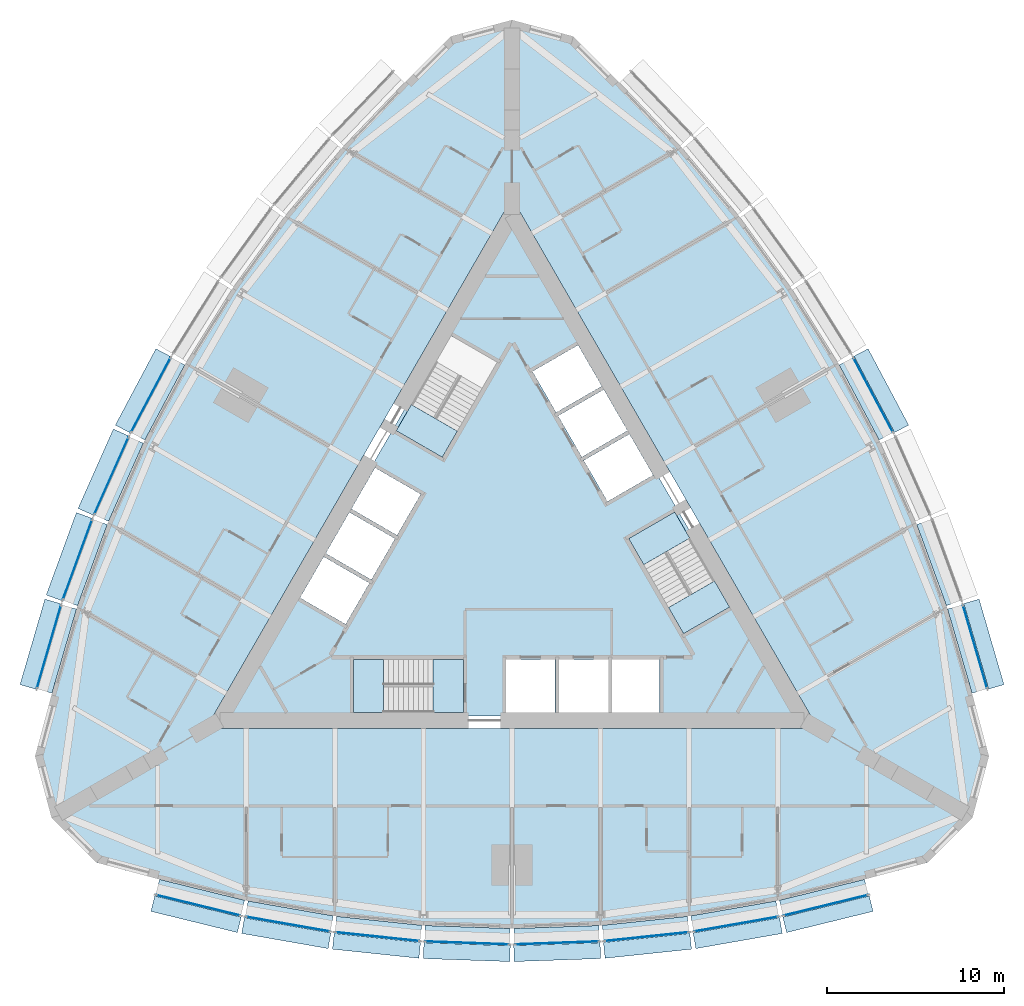
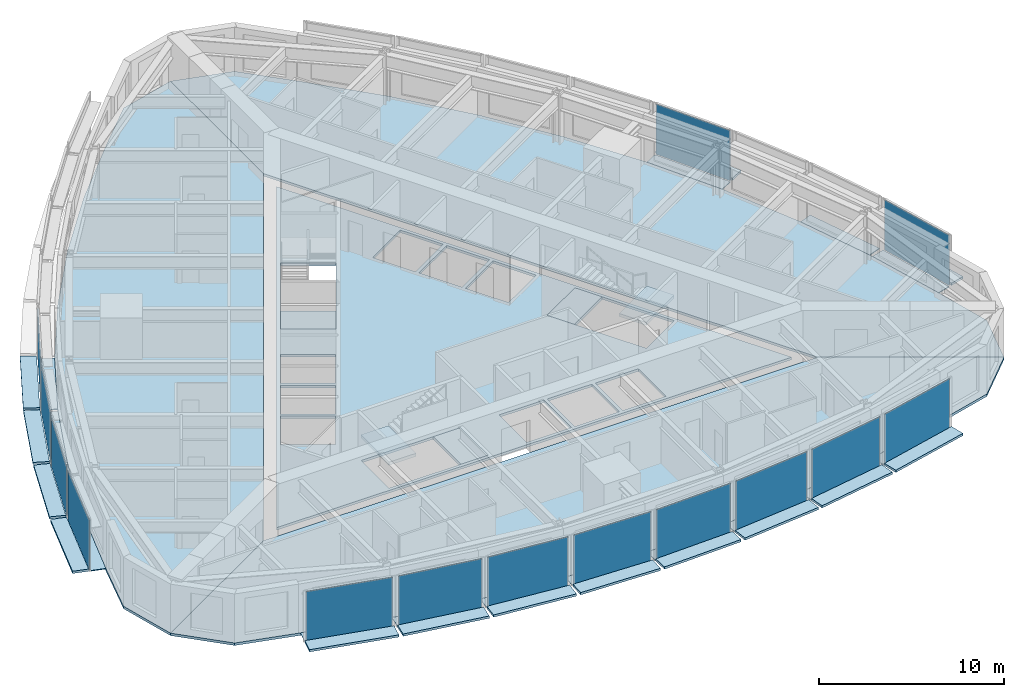
# One storey, part 6 of 14: 43 plates, 9 slabs, 17 elements without a shape of their own.
"""IFC4 building model written with IfcOpenShell, lengths in metres."""

from ifc_helpers import new_model, si_unit, direction, frame, origin, origin_2d, place, context, subcontext, project, spatial, polyline, rectangle, outline, extrude, material, layer, layer_set, type_object, element, aggregate, save


model = new_model("IFC4")

# Units and contexts
model_context = context("Model", 3, precision=1e-05, world=origin(), true_north=direction((0.0, 1.0)))
body_context = subcontext(model_context, "Body", "Model", "MODEL_VIEW")
ifc_project = project(units=[si_unit("LENGTHUNIT", "METRE"), si_unit("AREAUNIT", "SQUARE_METRE"), si_unit("VOLUMEUNIT", "CUBIC_METRE"), si_unit("PLANEANGLEUNIT", "RADIAN"), si_unit("MASSUNIT", "GRAM", prefix="KILO")], contexts=[model_context])

# Site, building, storey
site_placement = place(None, origin())
site = spatial("IfcSite", under=ifc_project, at=site_placement, CompositionType="ELEMENT")
building_placement = place(site_placement, origin())
building = spatial("IfcBuilding", under=site, at=building_placement, Name="Trikona Tower", CompositionType="ELEMENT")
storey_placement = place(building_placement, frame((0.0, 0.0, 158.89990234375)))
storey = spatial("IfcBuildingStorey", under=building, at=storey_placement, Name="L42", CompositionType="ELEMENT", Elevation=158.89990234375)

# Plates
ifc_material_1 = material(Name="Aluminium bar grating", Category="aluminium")
ifc_layer_1 = layer(ifc_material_1, 0.050048828125)
ifc_layer_set_1 = layer_set([ifc_layer_1], Name="Cavity catwalk grating")
plate_type_1 = type_object("IfcPlateType", Name="Cavity catwalk grating", PredefinedType="USERDEFINED", material=ifc_layer_set_1)
plate_1_placement = place(storey_placement, frame((-17.598876953125, -19.49072265625, -0.0498046875), z_axis=(0.0, 0.0, 1.0), x_axis=(0.971274411564, -0.237962218516, 0.0)))
element("IfcPlate", 1, at=plate_1_placement, inside=storey, type_object=plate_type_1, Name="Cavity catwalk L42-00", ObjectType="CATWALK GRATING", PredefinedType="USERDEFINED", context=body_context, shape_type="SweptSolid", body=[
    extrude(rectangle(XDim=4.947998046875, YDim=0.830078125, at=origin_2d()), origin(), (0.0, 0.0, 1.0), 0.050048828125),
])
plate_2_placement = place(storey_placement, frame((-12.571533203125, -20.54638671875, -0.0498046875), z_axis=(0.0, 0.0, 1.0), x_axis=(0.985030604067, -0.172379549401, 0.0)))
element("IfcPlate", 2, at=plate_2_placement, inside=storey, type_object=plate_type_1, Name="Cavity catwalk L42-01", ObjectType="CATWALK GRATING", PredefinedType="USERDEFINED", context=body_context, shape_type="SweptSolid", body=[
    extrude(rectangle(XDim=4.8759765625, YDim=0.830078125, at=origin_2d()), origin(), (0.0, 0.0, 1.0), 0.050048828125),
])
plate_3_placement = place(storey_placement, frame((-7.543212890625, -21.25048828125, -0.0498046875), z_axis=(0.0, 0.0, 1.0), x_axis=(0.994532653854, -0.104426052392, 0.0)))
element("IfcPlate", 3, at=plate_3_placement, inside=storey, type_object=plate_type_1, Name="Cavity catwalk L42-02", ObjectType="CATWALK GRATING", PredefinedType="USERDEFINED", context=body_context, shape_type="SweptSolid", body=[
    extrude(rectangle(XDim=4.827392578125, YDim=0.830078125, at=origin_2d()), origin(), (0.0, 0.0, 1.0), 0.050048828125),
])
for number, where, z_axis, x_axis, name in (
    (4, (-2.514404296875, -21.602294921875, -0.0498046875), (0.0, 0.0, 1.0), (0.999388082937, -0.034977988567, 0.0), "Cavity catwalk L42-03"),
    (5, (2.514404296875, -21.602294921875, -0.0498046875), (0.0, 0.0, 1.0), (0.999388082937, 0.034977988567, 0.0), "Cavity catwalk L42-04"),
):
    element("IfcPlate", number, at=place(storey_placement, frame(where, z_axis=z_axis, x_axis=x_axis)), inside=storey, type_object=plate_type_1, Name=name, ObjectType="CATWALK GRATING", PredefinedType="USERDEFINED", context=body_context, shape_type="SweptSolid", body=[
        extrude(rectangle(XDim=4.802978515625, YDim=0.830078125, at=origin_2d()), origin(), (0.0, 0.0, 1.0), 0.050048828125),
    ])
plate_4_placement = place(storey_placement, frame((7.543212890625, -21.25048828125, -0.0498046875), z_axis=(0.0, 0.0, 1.0), x_axis=(0.994532653854, 0.104426052392, 0.0)))
element("IfcPlate", 6, at=plate_4_placement, inside=storey, type_object=plate_type_1, Name="Cavity catwalk L42-05", ObjectType="CATWALK GRATING", PredefinedType="USERDEFINED", context=body_context, shape_type="SweptSolid", body=[
    extrude(rectangle(XDim=4.827392578125, YDim=0.830078125, at=origin_2d()), origin(), (0.0, 0.0, 1.0), 0.050048828125),
])
plate_5_placement = place(storey_placement, frame((12.571533203125, -20.54638671875, -0.0498046875), z_axis=(0.0, 0.0, 1.0), x_axis=(0.985030604067, 0.172379549401, 0.0)))
element("IfcPlate", 7, at=plate_5_placement, inside=storey, type_object=plate_type_1, Name="Cavity catwalk L42-06", ObjectType="CATWALK GRATING", PredefinedType="USERDEFINED", context=body_context, shape_type="SweptSolid", body=[
    extrude(rectangle(XDim=4.8759765625, YDim=0.830078125, at=origin_2d()), origin(), (0.0, 0.0, 1.0), 0.050048828125),
])
plate_6_placement = place(storey_placement, frame((17.598876953125, -19.49072265625, -0.0498046875), z_axis=(0.0, 0.0, 1.0), x_axis=(0.971274411564, 0.237962218516, 0.0)))
element("IfcPlate", 8, at=plate_6_placement, inside=storey, type_object=plate_type_1, Name="Cavity catwalk L42-07", ObjectType="CATWALK GRATING", PredefinedType="USERDEFINED", context=body_context, shape_type="SweptSolid", body=[
    extrude(rectangle(XDim=4.947998046875, YDim=0.830078125, at=origin_2d()), origin(), (0.0, 0.0, 1.0), 0.050048828125),
])
plate_7_placement = place(storey_placement, frame((25.678955078125, -5.49560546875, -0.0498046875), z_axis=(0.0, 0.0, 1.0), x_axis=(-0.279554203664, 0.960129911634, 0.0)))
element("IfcPlate", 9, at=plate_7_placement, inside=storey, type_object=plate_type_1, Name="Cavity catwalk L42-12", ObjectType="CATWALK GRATING", PredefinedType="USERDEFINED", context=body_context, shape_type="SweptSolid", body=[
    extrude(rectangle(XDim=4.94775390625, YDim=0.830078125, at=origin_2d()), origin(), (0.0, 0.0, 1.0), 0.050048828125),
])
plate_8_placement = place(storey_placement, frame((24.07958984375, -0.614013671875, -0.0498046875), z_axis=(0.0, 0.0, 1.0), x_axis=(-0.343220397324, 0.939254895575, 0.0)))
element("IfcPlate", 10, at=plate_8_placement, inside=storey, type_object=plate_type_1, Name="Cavity catwalk L42-13", ObjectType="CATWALK GRATING", PredefinedType="USERDEFINED", context=body_context, shape_type="SweptSolid", body=[
    extrude(rectangle(XDim=4.8759765625, YDim=0.830078125, at=origin_2d()), origin(), (0.0, 0.0, 1.0), 0.050048828125),
])
for number, where, z_axis, x_axis, name in (
    (11, (19.965576171875, 8.62353515625, -0.0498046875), (0.0, 0.0, 1.0), (-0.469397591494, 0.882986920118, 0.0), "Cavity catwalk L42-15"),
    (12, (-19.965576171875, 8.62353515625, -0.0498046875), (0.0, 0.0, 1.0), (-0.469397591494, -0.882986920118, 0.0), "Cavity catwalk L42-28"),
):
    element("IfcPlate", number, at=place(storey_placement, frame(where, z_axis=z_axis, x_axis=x_axis)), inside=storey, type_object=plate_type_1, Name=name, ObjectType="CATWALK GRATING", PredefinedType="USERDEFINED", context=body_context, shape_type="SweptSolid", body=[
        extrude(rectangle(XDim=4.802978515625, YDim=0.830078125, at=origin_2d()), origin(), (0.0, 0.0, 1.0), 0.050048828125),
    ])
plate_9_placement = place(storey_placement, frame((-22.175048828125, 4.092529296875, -0.0498046875), z_axis=(0.0, 0.0, 1.0), x_axis=(-0.406843467615, -0.913497888809, 0.0)))
element("IfcPlate", 13, at=plate_9_placement, inside=storey, type_object=plate_type_1, Name="Cavity catwalk L42-29", ObjectType="CATWALK GRATING", PredefinedType="USERDEFINED", context=body_context, shape_type="SweptSolid", body=[
    extrude(rectangle(XDim=4.827392578125, YDim=0.830078125, at=origin_2d()), origin(), (0.0, 0.0, 1.0), 0.050048828125),
])
plate_10_placement = place(storey_placement, frame((-24.07958984375, -0.614013671875, -0.0498046875), z_axis=(0.0, 0.0, 1.0), x_axis=(-0.343220397324, -0.939254895575, 0.0)))
element("IfcPlate", 14, at=plate_10_placement, inside=storey, type_object=plate_type_1, Name="Cavity catwalk L42-30", ObjectType="CATWALK GRATING", PredefinedType="USERDEFINED", context=body_context, shape_type="SweptSolid", body=[
    extrude(rectangle(XDim=4.8759765625, YDim=0.830078125, at=origin_2d()), origin(), (0.0, 0.0, 1.0), 0.050048828125),
])
plate_11_placement = place(storey_placement, frame((-25.678955078125, -5.49560546875, -0.0498046875), z_axis=(0.0, 0.0, 1.0), x_axis=(-0.279554203664, -0.960129911634, 0.0)))
element("IfcPlate", 15, at=plate_11_placement, inside=storey, type_object=plate_type_1, Name="Cavity catwalk L42-31", ObjectType="CATWALK GRATING", PredefinedType="USERDEFINED", context=body_context, shape_type="SweptSolid", body=[
    extrude(rectangle(XDim=4.94775390625, YDim=0.830078125, at=origin_2d()), origin(), (0.0, 0.0, 1.0), 0.050048828125),
])

# Slabs
ifc_material_2 = material(Name="Concrete f'c 5000 psi lightweight on composite steel deck", Category="concrete")
ifc_layer_2 = layer(ifc_material_2, 0.1650390625)
ifc_layer_set_2 = layer_set([ifc_layer_2], Name="Composite floor slab 165")
slab_type_1 = type_object("IfcSlabType", Name="Composite floor slab 165", PredefinedType="FLOOR", material=ifc_layer_set_2)
slab_1_placement = place(storey_placement, frame((0.0, 0.0, -0.164794921875)))
element("IfcSlab", 16, at=slab_1_placement, inside=storey, type_object=slab_type_1, Name="Floor slab L42 core", PredefinedType="FLOOR", context=body_context, shape_type="SweptSolid", body=[
    extrude(outline(polyline([(-16.06689453125, -9.2763671875), (16.06689453125, -9.2763671875), (0.0, 18.552490234375), (-16.06689453125, -9.2763671875)]), holes=[polyline([(12.285400390625, -3.126220703125), (9.185302734375, 2.2431640625), (6.587158203125, 0.7431640625), (9.687255859375, -4.626220703125), (12.285400390625, -3.126220703125)]), polyline([(8.340087890625, -9.06640625), (8.340087890625, -6.086181640625), (5.659912109375, -6.086181640625), (5.659912109375, -9.06640625), (8.340087890625, -9.06640625)]), polyline([(5.390869140625, 2.835205078125), (7.9716796875, 4.3251953125), (6.631591796875, 6.646240234375), (4.05078125, 5.15625), (5.390869140625, 2.835205078125)]), polyline([(2.600830078125, 7.667724609375), (3.94091796875, 5.3466796875), (6.521484375, 6.8369140625), (5.181640625, 9.15771484375), (2.600830078125, 7.667724609375)]), polyline([(5.43994140625, -6.086181640625), (2.659912109375, -6.086181640625), (2.659912109375, -9.06640625), (5.43994140625, -9.06640625), (5.43994140625, -6.086181640625)]), polyline([(3.731689453125, 11.669189453125), (1.15087890625, 10.17919921875), (2.490966796875, 7.858154296875), (5.071533203125, 9.34814453125), (3.731689453125, 11.669189453125)]), polyline([(-0.340087890625, -6.086181640625), (-0.340087890625, -9.06640625), (2.43994140625, -9.06640625), (2.43994140625, -6.086181640625), (-0.340087890625, -6.086181640625)]), polyline([(-3.435302734375, 12.202392578125), (-6.535400390625, 6.8330078125), (-3.937255859375, 5.3330078125), (-0.837158203125, 10.702392578125), (-3.435302734375, 12.202392578125)]), polyline([(-8.949951171875, -9.076416015625), (-2.75, -9.076416015625), (-2.75, -6.076416015625), (-8.949951171875, -6.076416015625), (-8.949951171875, -9.076416015625)]), polyline([(-5.15087890625, 3.2509765625), (-7.731689453125, 4.740966796875), (-9.071533203125, 2.419921875), (-6.490966796875, 0.929931640625), (-5.15087890625, 3.2509765625)]), polyline([(-7.94091796875, -1.581298828125), (-6.600830078125, 0.739501953125), (-9.181640625, 2.2294921875), (-10.521484375, -0.09130859375), (-7.94091796875, -1.581298828125)]), polyline([(-11.9716796875, -2.602783203125), (-9.390869140625, -4.093017578125), (-8.05078125, -1.77197265625), (-10.631591796875, -0.281982421875), (-11.9716796875, -2.602783203125)])]), origin(), (0.0, 0.0, 1.0), 0.164794921875),
])
slab_2_placement = place(storey_placement, frame((0.0, 0.0, -0.164794921875)))
element("IfcSlab", 17, at=slab_2_placement, inside=storey, type_object=slab_type_1, Name="Floor slab L42 south", PredefinedType="FLOOR", context=body_context, shape_type="SweptSolid", body=[
    extrude(outline(polyline([(23.464111328125, -17.547119140625), (26.0, -15.010986328125), (17.279296875, -9.976318359375), (-17.279296875, -9.976318359375), (-26.0, -15.010986328125), (-23.464111328125, -17.547119140625), (-20.0, -18.47509765625), (-15.0, -19.7001953125), (-10.0, -20.5751953125), (-5.0, -21.10009765625), (0.0, -21.275146484375), (5.0, -21.10009765625), (10.0, -20.5751953125), (15.0, -19.7001953125), (20.0, -18.47509765625), (23.464111328125, -17.547119140625)])), origin(), (0.0, 0.0, 1.0), 0.164794921875),
])
slab_3_placement = place(storey_placement, frame((0.0, 0.0, -0.164794921875)))
element("IfcSlab", 18, at=slab_3_placement, inside=storey, type_object=slab_type_1, Name="Floor slab L42 north-east", PredefinedType="FLOOR", context=body_context, shape_type="SweptSolid", body=[
    extrude(outline(polyline([(3.464111328125, 29.093994140625), (0.0, 30.022216796875), (0.0, 19.95263671875), (17.279296875, -9.976318359375), (26.0, -15.010986328125), (26.92822265625, -11.547119140625), (26.0, -8.0830078125), (24.560791015625, -3.140380859375), (22.818603515625, 1.62744140625), (20.773193359375, 6.219970703125), (18.4248046875, 10.6376953125), (15.773193359375, 14.880126953125), (12.818603515625, 18.947998046875), (9.560791015625, 22.840576171875), (6.0, 26.55810546875), (3.464111328125, 29.093994140625)])), origin(), (0.0, 0.0, 1.0), 0.164794921875),
])
slab_4_placement = place(storey_placement, frame((0.0, 0.0, -0.164794921875)))
element("IfcSlab", 19, at=slab_4_placement, inside=storey, type_object=slab_type_1, Name="Floor slab L42 north-west", PredefinedType="FLOOR", context=body_context, shape_type="SweptSolid", body=[
    extrude(outline(polyline([(0.0, 19.95263671875), (0.0, 30.022216796875), (-3.464111328125, 29.093994140625), (-6.0, 26.55810546875), (-9.560791015625, 22.840576171875), (-12.818603515625, 18.947998046875), (-15.773193359375, 14.880126953125), (-18.4248046875, 10.6376953125), (-20.773193359375, 6.219970703125), (-22.818603515625, 1.62744140625), (-24.560791015625, -3.140380859375), (-26.0, -8.0830078125), (-26.92822265625, -11.547119140625), (-26.0, -15.010986328125), (-17.279296875, -9.976318359375), (0.0, 19.95263671875)])), origin(), (0.0, 0.0, 1.0), 0.164794921875),
])

# Curtain wall, plate
ifc_material_3 = material(Name="Aluminium curtain wall system", Category="aluminium")
curtain_wall_type = type_object("IfcCurtainWallType", Name="Curtain wall DS2", PredefinedType="NOTDEFINED", material=ifc_material_3)
curtain_wall_1_placement = place(storey_placement, origin())
curtain_wall_1 = element("IfcCurtainWall", 20, at=curtain_wall_1_placement, inside=storey, type_object=curtain_wall_type, Name="Curtain wall DS2 L42", PredefinedType="NOTDEFINED")
ifc_material_4 = material(Name="Laminated clear glass", Category="glass")
ifc_layer_3 = layer(ifc_material_4, 0.028076171875)
ifc_layer_set_3 = layer_set([ifc_layer_3], Name="Glass panel DS2")
plate_type_2 = type_object("IfcPlateType", Name="Glass panel DS2", PredefinedType="CURTAIN_PANEL", material=ifc_layer_set_3)
plate_12_placement = place(storey_placement, frame((-17.714111328125, -19.9619140625, 0.0), z_axis=(0.0, 0.0, 1.0), x_axis=(0.971272455026, -0.237970204243, 0.0)))
plate_12 = element("IfcPlate", 21, at=plate_12_placement, type_object=plate_type_2, Name="CW-DS2 panel 1.1", PredefinedType="CURTAIN_PANEL", context=body_context, shape_type="SweptSolid", body=[
    extrude(rectangle(XDim=4.867919921875, YDim=0.028076171875, at=origin_2d()), origin(), (0.0, 0.0, 1.0), 3.320068359375),
])
aggregate(curtain_wall_1, [plate_12])

curtain_wall_2_placement = place(storey_placement, origin())
curtain_wall_2 = element("IfcCurtainWall", 22, at=curtain_wall_2_placement, inside=storey, type_object=curtain_wall_type, Name="Curtain wall DS2 L42", PredefinedType="NOTDEFINED")
plate_13_placement = place(storey_placement, frame((-12.655029296875, -21.024169921875, 0.0), z_axis=(0.0, 0.0, 1.0), x_axis=(0.985030981074, -0.17237739505, 0.0)))
plate_13 = element("IfcPlate", 23, at=plate_13_placement, type_object=plate_type_2, Name="CW-DS2 panel 1.1", PredefinedType="CURTAIN_PANEL", context=body_context, shape_type="SweptSolid", body=[
    extrude(rectangle(XDim=4.7958984375, YDim=0.028076171875, at=origin_2d()), origin(), (0.0, 0.0, 1.0), 3.320068359375),
])
aggregate(curtain_wall_2, [plate_13])

curtain_wall_3_placement = place(storey_placement, origin())
curtain_wall_3 = element("IfcCurtainWall", 24, at=curtain_wall_3_placement, inside=storey, type_object=curtain_wall_type, Name="Curtain wall DS2 L42", PredefinedType="NOTDEFINED")
plate_14_placement = place(storey_placement, frame((-7.593994140625, -21.732666015625, 0.0), z_axis=(0.0, 0.0, 1.0), x_axis=(0.994531883654, -0.104433387357, 0.0)))
plate_14 = element("IfcPlate", 25, at=plate_14_placement, type_object=plate_type_2, Name="CW-DS2 panel 1.1", PredefinedType="CURTAIN_PANEL", context=body_context, shape_type="SweptSolid", body=[
    extrude(rectangle(XDim=4.747314453125, YDim=0.028076171875, at=origin_2d()), origin(), (0.0, 0.0, 1.0), 3.320068359375),
])
aggregate(curtain_wall_3, [plate_14])

curtain_wall_4_placement = place(storey_placement, origin())
curtain_wall_4 = element("IfcCurtainWall", 26, at=curtain_wall_4_placement, inside=storey, type_object=curtain_wall_type, Name="Curtain wall DS2 L42", PredefinedType="NOTDEFINED")
plate_15_placement = place(storey_placement, frame((-2.531494140625, -22.087158203125, 0.0), z_axis=(0.0, 0.0, 1.0), x_axis=(0.99938737114, -0.034998320052, 0.0)))
plate_15 = element("IfcPlate", 27, at=plate_15_placement, type_object=plate_type_2, Name="CW-DS2 panel 1.1", PredefinedType="CURTAIN_PANEL", context=body_context, shape_type="SweptSolid", body=[
    extrude(rectangle(XDim=4.72314453125, YDim=0.028076171875, at=origin_2d()), origin(), (0.0, 0.0, 1.0), 3.320068359375),
])
aggregate(curtain_wall_4, [plate_15])

curtain_wall_5_placement = place(storey_placement, origin())
curtain_wall_5 = element("IfcCurtainWall", 28, at=curtain_wall_5_placement, inside=storey, type_object=curtain_wall_type, Name="Curtain wall DS2 L42", PredefinedType="NOTDEFINED")
plate_16_placement = place(storey_placement, frame((2.531494140625, -22.087158203125, 0.0), z_axis=(0.0, 0.0, 1.0), x_axis=(0.99938737114, 0.034998320052, 0.0)))
plate_16 = element("IfcPlate", 29, at=plate_16_placement, type_object=plate_type_2, Name="CW-DS2 panel 1.1", PredefinedType="CURTAIN_PANEL", context=body_context, shape_type="SweptSolid", body=[
    extrude(rectangle(XDim=4.72314453125, YDim=0.028076171875, at=origin_2d()), origin(), (0.0, 0.0, 1.0), 3.320068359375),
])
aggregate(curtain_wall_5, [plate_16])

curtain_wall_6_placement = place(storey_placement, origin())
curtain_wall_6 = element("IfcCurtainWall", 30, at=curtain_wall_6_placement, inside=storey, type_object=curtain_wall_type, Name="Curtain wall DS2 L42", PredefinedType="NOTDEFINED")
plate_17_placement = place(storey_placement, frame((7.593994140625, -21.732666015625, 0.0), z_axis=(0.0, 0.0, 1.0), x_axis=(0.994531883654, 0.104433387357, 0.0)))
plate_17 = element("IfcPlate", 31, at=plate_17_placement, type_object=plate_type_2, Name="CW-DS2 panel 1.1", PredefinedType="CURTAIN_PANEL", context=body_context, shape_type="SweptSolid", body=[
    extrude(rectangle(XDim=4.747314453125, YDim=0.028076171875, at=origin_2d()), origin(), (0.0, 0.0, 1.0), 3.320068359375),
])
aggregate(curtain_wall_6, [plate_17])

curtain_wall_7_placement = place(storey_placement, origin())
curtain_wall_7 = element("IfcCurtainWall", 32, at=curtain_wall_7_placement, inside=storey, type_object=curtain_wall_type, Name="Curtain wall DS2 L42", PredefinedType="NOTDEFINED")
plate_18_placement = place(storey_placement, frame((12.655029296875, -21.024169921875, 0.0), z_axis=(0.0, 0.0, 1.0), x_axis=(0.985030981074, 0.17237739505, 0.0)))
plate_18 = element("IfcPlate", 33, at=plate_18_placement, type_object=plate_type_2, Name="CW-DS2 panel 1.1", PredefinedType="CURTAIN_PANEL", context=body_context, shape_type="SweptSolid", body=[
    extrude(rectangle(XDim=4.7958984375, YDim=0.028076171875, at=origin_2d()), origin(), (0.0, 0.0, 1.0), 3.320068359375),
])
aggregate(curtain_wall_7, [plate_18])

curtain_wall_8_placement = place(storey_placement, origin())
curtain_wall_8 = element("IfcCurtainWall", 34, at=curtain_wall_8_placement, inside=storey, type_object=curtain_wall_type, Name="Curtain wall DS2 L42", PredefinedType="NOTDEFINED")
plate_19_placement = place(storey_placement, frame((17.714111328125, -19.9619140625, 0.0), z_axis=(0.0, 0.0, 1.0), x_axis=(0.971272455026, 0.237970204243, 0.0)))
plate_19 = element("IfcPlate", 35, at=plate_19_placement, type_object=plate_type_2, Name="CW-DS2 panel 1.1", PredefinedType="CURTAIN_PANEL", context=body_context, shape_type="SweptSolid", body=[
    extrude(rectangle(XDim=4.867919921875, YDim=0.028076171875, at=origin_2d()), origin(), (0.0, 0.0, 1.0), 3.320068359375),
])
aggregate(curtain_wall_8, [plate_19])

curtain_wall_9_placement = place(storey_placement, origin())
curtain_wall_9 = element("IfcCurtainWall", 36, at=curtain_wall_9_placement, inside=storey, type_object=curtain_wall_type, Name="Curtain wall DS2 L42", PredefinedType="NOTDEFINED")
plate_20_placement = place(storey_placement, frame((26.14453125, -5.360107421875, 0.0), z_axis=(0.0, 0.0, 1.0), x_axis=(-0.279543247757, 0.96013310152, 0.0)))
plate_20 = element("IfcPlate", 37, at=plate_20_placement, type_object=plate_type_2, Name="CW-DS2 panel 1.1", PredefinedType="CURTAIN_PANEL", context=body_context, shape_type="SweptSolid", body=[
    extrude(rectangle(XDim=4.867919921875, YDim=0.028076171875, at=origin_2d()), origin(), (0.0, 0.0, 1.0), 3.320068359375),
])
aggregate(curtain_wall_9, [plate_20])

curtain_wall_10_placement = place(storey_placement, origin())
curtain_wall_10 = element("IfcCurtainWall", 38, at=curtain_wall_10_placement, inside=storey, type_object=curtain_wall_type, Name="Curtain wall DS2 L42", PredefinedType="NOTDEFINED")
plate_21_placement = place(storey_placement, frame((20.393798828125, 8.851318359375, 0.0), z_axis=(0.0, 0.0, 1.0), x_axis=(-0.469380308937, 0.882996107343, 0.0)))
plate_21 = element("IfcPlate", 39, at=plate_21_placement, type_object=plate_type_2, Name="CW-DS2 panel 1.1", PredefinedType="CURTAIN_PANEL", context=body_context, shape_type="SweptSolid", body=[
    extrude(rectangle(XDim=4.72314453125, YDim=0.028076171875, at=origin_2d()), origin(), (0.0, 0.0, 1.0), 3.320068359375),
])
aggregate(curtain_wall_10, [plate_21])

curtain_wall_11_placement = place(storey_placement, origin())
curtain_wall_11 = element("IfcCurtainWall", 40, at=curtain_wall_11_placement, inside=storey, type_object=curtain_wall_type, Name="Curtain wall DS2 L42", PredefinedType="NOTDEFINED")
plate_22_placement = place(storey_placement, frame((-20.393798828125, 8.851318359375, 0.0), z_axis=(0.0, 0.0, 1.0), x_axis=(-0.469380308937, -0.882996107343, 0.0)))
plate_22 = element("IfcPlate", 41, at=plate_22_placement, type_object=plate_type_2, Name="CW-DS2 panel 1.1", PredefinedType="CURTAIN_PANEL", context=body_context, shape_type="SweptSolid", body=[
    extrude(rectangle(XDim=4.72314453125, YDim=0.028076171875, at=origin_2d()), origin(), (0.0, 0.0, 1.0), 3.320068359375),
])
aggregate(curtain_wall_11, [plate_22])

curtain_wall_12_placement = place(storey_placement, origin())
curtain_wall_12 = element("IfcCurtainWall", 42, at=curtain_wall_12_placement, inside=storey, type_object=curtain_wall_type, Name="Curtain wall DS2 L42", PredefinedType="NOTDEFINED")
plate_23_placement = place(storey_placement, frame((-22.6181640625, 4.289794921875, 0.0), z_axis=(0.0, 0.0, 1.0), x_axis=(-0.406836013132, -0.913501208767, 0.0)))
plate_23 = element("IfcPlate", 43, at=plate_23_placement, type_object=plate_type_2, Name="CW-DS2 panel 1.1", PredefinedType="CURTAIN_PANEL", context=body_context, shape_type="SweptSolid", body=[
    extrude(rectangle(XDim=4.747314453125, YDim=0.028076171875, at=origin_2d()), origin(), (0.0, 0.0, 1.0), 3.320068359375),
])
aggregate(curtain_wall_12, [plate_23])

curtain_wall_13_placement = place(storey_placement, origin())
curtain_wall_13 = element("IfcCurtainWall", 44, at=curtain_wall_13_placement, inside=storey, type_object=curtain_wall_type, Name="Curtain wall DS2 L42", PredefinedType="NOTDEFINED")
plate_24_placement = place(storey_placement, frame((-24.53515625, -0.447509765625, 0.0), z_axis=(0.0, 0.0, 1.0), x_axis=(-0.343223420143, -0.939253790978, 0.0)))
plate_24 = element("IfcPlate", 45, at=plate_24_placement, type_object=plate_type_2, Name="CW-DS2 panel 1.1", PredefinedType="CURTAIN_PANEL", context=body_context, shape_type="SweptSolid", body=[
    extrude(rectangle(XDim=4.7958984375, YDim=0.028076171875, at=origin_2d()), origin(), (0.0, 0.0, 1.0), 3.320068359375),
])
aggregate(curtain_wall_13, [plate_24])

curtain_wall_14_placement = place(storey_placement, origin())
curtain_wall_14 = element("IfcCurtainWall", 46, at=curtain_wall_14_placement, inside=storey, type_object=curtain_wall_type, Name="Curtain wall DS2 L42", PredefinedType="NOTDEFINED")
plate_25_placement = place(storey_placement, frame((-26.14453125, -5.360107421875, 0.0), z_axis=(0.0, 0.0, 1.0), x_axis=(-0.279543247757, -0.96013310152, 0.0)))
plate_25 = element("IfcPlate", 47, at=plate_25_placement, type_object=plate_type_2, Name="CW-DS2 panel 1.1", PredefinedType="CURTAIN_PANEL", context=body_context, shape_type="SweptSolid", body=[
    extrude(rectangle(XDim=4.867919921875, YDim=0.028076171875, at=origin_2d()), origin(), (0.0, 0.0, 1.0), 3.320068359375),
])
aggregate(curtain_wall_14, [plate_25])

# Plates
ifc_material_5 = material(Name="Aluminium plate fin, pale anodised, on stainless steel outriggers", Category="steel")
ifc_layer_4 = layer(ifc_material_5, 0.14990234375)
ifc_layer_set_4 = layer_set([ifc_layer_4], Name="Outer skin fin 900")
plate_type_3 = type_object("IfcPlateType", Name="Outer skin fin 900", PredefinedType="USERDEFINED", material=ifc_layer_set_4)
plate_26_placement = place(storey_placement, frame((-17.837890625, -20.466796875, 0.000244140625), z_axis=(0.0, 0.0, 1.0), x_axis=(0.971274411564, -0.237962218516, 0.0)))
element("IfcPlate", 48, at=plate_26_placement, inside=storey, type_object=plate_type_3, Name="Outer skin fin L42-00", ObjectType="FIN", PredefinedType="USERDEFINED", context=body_context, shape_type="SweptSolid", body=[
    extrude(rectangle(XDim=5.02783203125, YDim=0.89990234375, at=origin_2d()), origin(), (0.0, 0.0, 1.0), 0.14990234375),
])
plate_27_placement = place(storey_placement, frame((-12.744873046875, -21.536376953125, 0.000244140625), z_axis=(0.0, 0.0, 1.0), x_axis=(0.985030604067, -0.172379549401, 0.0)))
element("IfcPlate", 49, at=plate_27_placement, inside=storey, type_object=plate_type_3, Name="Outer skin fin L42-01", ObjectType="FIN", PredefinedType="USERDEFINED", context=body_context, shape_type="SweptSolid", body=[
    extrude(rectangle(XDim=4.9560546875, YDim=0.89990234375, at=origin_2d()), origin(), (0.0, 0.0, 1.0), 0.14990234375),
])
plate_28_placement = place(storey_placement, frame((-7.648193359375, -22.25, 0.000244140625), z_axis=(0.0, 0.0, 1.0), x_axis=(0.994532653854, -0.104426052392, 0.0)))
element("IfcPlate", 50, at=plate_28_placement, inside=storey, type_object=plate_type_3, Name="Outer skin fin L42-02", ObjectType="FIN", PredefinedType="USERDEFINED", context=body_context, shape_type="SweptSolid", body=[
    extrude(rectangle(XDim=4.907470703125, YDim=0.89990234375, at=origin_2d()), origin(), (0.0, 0.0, 1.0), 0.14990234375),
])
for number, where, z_axis, x_axis, name in (
    (51, (-2.5498046875, -22.606689453125, 0.000244140625), (0.0, 0.0, 1.0), (0.999388082937, -0.034977988567, 0.0), "Outer skin fin L42-03"),
    (52, (2.5498046875, -22.606689453125, 0.000244140625), (0.0, 0.0, 1.0), (0.999388082937, 0.034977988567, 0.0), "Outer skin fin L42-04"),
):
    element("IfcPlate", number, at=place(storey_placement, frame(where, z_axis=z_axis, x_axis=x_axis)), inside=storey, type_object=plate_type_3, Name=name, ObjectType="FIN", PredefinedType="USERDEFINED", context=body_context, shape_type="SweptSolid", body=[
        extrude(rectangle(XDim=4.883056640625, YDim=0.89990234375, at=origin_2d()), origin(), (0.0, 0.0, 1.0), 0.14990234375),
    ])
plate_29_placement = place(storey_placement, frame((7.648193359375, -22.25, 0.000244140625), z_axis=(0.0, 0.0, 1.0), x_axis=(0.994532653854, 0.104426052392, 0.0)))
element("IfcPlate", 53, at=plate_29_placement, inside=storey, type_object=plate_type_3, Name="Outer skin fin L42-05", ObjectType="FIN", PredefinedType="USERDEFINED", context=body_context, shape_type="SweptSolid", body=[
    extrude(rectangle(XDim=4.907470703125, YDim=0.89990234375, at=origin_2d()), origin(), (0.0, 0.0, 1.0), 0.14990234375),
])
plate_30_placement = place(storey_placement, frame((12.744873046875, -21.536376953125, 0.000244140625), z_axis=(0.0, 0.0, 1.0), x_axis=(0.985030604067, 0.172379549401, 0.0)))
element("IfcPlate", 54, at=plate_30_placement, inside=storey, type_object=plate_type_3, Name="Outer skin fin L42-06", ObjectType="FIN", PredefinedType="USERDEFINED", context=body_context, shape_type="SweptSolid", body=[
    extrude(rectangle(XDim=4.9560546875, YDim=0.89990234375, at=origin_2d()), origin(), (0.0, 0.0, 1.0), 0.14990234375),
])
for number, where, z_axis, x_axis, name in (
    (55, (17.837890625, -20.466796875, 0.000244140625), (0.0, 0.0, 1.0), (0.971274411564, 0.237962218516, 0.0), "Outer skin fin L42-07"),
    (56, (26.643798828125, -5.214599609375, 0.000244140625), (0.0, 0.0, 1.0), (-0.279554203664, 0.960129911634, 0.0), "Outer skin fin L42-12"),
):
    element("IfcPlate", number, at=place(storey_placement, frame(where, z_axis=z_axis, x_axis=x_axis)), inside=storey, type_object=plate_type_3, Name=name, ObjectType="FIN", PredefinedType="USERDEFINED", context=body_context, shape_type="SweptSolid", body=[
        extrude(rectangle(XDim=5.02783203125, YDim=0.89990234375, at=origin_2d()), origin(), (0.0, 0.0, 1.0), 0.14990234375),
    ])
for number, where, z_axis, x_axis, name in (
    (57, (20.852783203125, 9.09521484375, 0.000244140625), (0.0, 0.0, 1.0), (-0.469397591494, 0.882986920118, 0.0), "Outer skin fin L42-15"),
    (58, (-20.852783203125, 9.09521484375, 0.000244140625), (0.0, 0.0, 1.0), (-0.469397591494, -0.882986920118, 0.0), "Outer skin fin L42-28"),
):
    element("IfcPlate", number, at=place(storey_placement, frame(where, z_axis=z_axis, x_axis=x_axis)), inside=storey, type_object=plate_type_3, Name=name, ObjectType="FIN", PredefinedType="USERDEFINED", context=body_context, shape_type="SweptSolid", body=[
        extrude(rectangle(XDim=4.883056640625, YDim=0.89990234375, at=origin_2d()), origin(), (0.0, 0.0, 1.0), 0.14990234375),
    ])
plate_31_placement = place(storey_placement, frame((-23.09326171875, 4.50146484375, 0.000244140625), z_axis=(0.0, 0.0, 1.0), x_axis=(-0.406843467615, -0.913497888809, 0.0)))
element("IfcPlate", 59, at=plate_31_placement, inside=storey, type_object=plate_type_3, Name="Outer skin fin L42-29", ObjectType="FIN", PredefinedType="USERDEFINED", context=body_context, shape_type="SweptSolid", body=[
    extrude(rectangle(XDim=4.907470703125, YDim=0.89990234375, at=origin_2d()), origin(), (0.0, 0.0, 1.0), 0.14990234375),
])
plate_32_placement = place(storey_placement, frame((-25.0234375, -0.26904296875, 0.000244140625), z_axis=(0.0, 0.0, 1.0), x_axis=(-0.343220397324, -0.939254895575, 0.0)))
element("IfcPlate", 60, at=plate_32_placement, inside=storey, type_object=plate_type_3, Name="Outer skin fin L42-30", ObjectType="FIN", PredefinedType="USERDEFINED", context=body_context, shape_type="SweptSolid", body=[
    extrude(rectangle(XDim=4.9560546875, YDim=0.89990234375, at=origin_2d()), origin(), (0.0, 0.0, 1.0), 0.14990234375),
])
plate_33_placement = place(storey_placement, frame((-26.643798828125, -5.214599609375, 0.000244140625), z_axis=(0.0, 0.0, 1.0), x_axis=(-0.279554203664, -0.960129911634, 0.0)))
element("IfcPlate", 61, at=plate_33_placement, inside=storey, type_object=plate_type_3, Name="Outer skin fin L42-31", ObjectType="FIN", PredefinedType="USERDEFINED", context=body_context, shape_type="SweptSolid", body=[
    extrude(rectangle(XDim=5.02783203125, YDim=0.89990234375, at=origin_2d()), origin(), (0.0, 0.0, 1.0), 0.14990234375),
])

# Stair, slabs
ifc_material_6 = material(Name="Concrete f'c 5000 psi", Category="concrete")
stair_type = type_object("IfcStairType", Name="Core stair", PredefinedType="HALF_TURN_STAIR", material=ifc_material_6)
stair_1_placement = place(storey_placement, origin())
stair_1 = element("IfcStair", 62, at=stair_1_placement, inside=storey, type_object=stair_type, Name="Stair A L42", PredefinedType="HALF_TURN_STAIR")
ifc_material_7 = material(Name="Concrete f'c 5000 psi", Category="concrete")
ifc_layer_5 = layer(ifc_material_7, 0.199951171875)
ifc_layer_set_5 = layer_set([ifc_layer_5], Name="Stair landing 200")
slab_type_2 = type_object("IfcSlabType", Name="Stair landing 200", PredefinedType="LANDING", material=ifc_layer_set_5)
slab_5_placement = place(storey_placement, frame((0.0, 0.0, -0.199951171875)))
slab_5 = element("IfcSlab", 63, at=slab_5_placement, type_object=slab_type_2, Name="ST-A landing 1", PredefinedType="LANDING", context=body_context, shape_type="SweptSolid", body=[
    extrude(outline(polyline([(-4.452880859375, -6.076416015625), (-2.75, -6.076416015625), (-2.75, -9.076416015625), (-4.452880859375, -9.076416015625), (-4.452880859375, -6.076416015625)])), origin(), (0.0, 0.0, 1.0), 0.199951171875),
])
slab_6_placement = place(storey_placement, frame((0.0, 0.0, 1.5)))
slab_6 = element("IfcSlab", 64, at=slab_6_placement, type_object=slab_type_2, Name="ST-A landing 2", PredefinedType="LANDING", context=body_context, shape_type="SweptSolid", body=[
    extrude(outline(polyline([(-8.949951171875, -6.076416015625), (-7.2470703125, -6.076416015625), (-7.2470703125, -9.076416015625), (-8.949951171875, -9.076416015625), (-8.949951171875, -6.076416015625)])), origin(), (0.0, 0.0, 1.0), 0.2001953125),
])
aggregate(stair_1, [slab_5, slab_6])

stair_2_placement = place(storey_placement, origin())
stair_2 = element("IfcStair", 65, at=stair_2_placement, inside=storey, type_object=stair_type, Name="Stair B L42", PredefinedType="HALF_TURN_STAIR")
slab_7_placement = place(storey_placement, frame((0.0, 0.0, -0.199951171875)))
slab_7 = element("IfcSlab", 66, at=slab_7_placement, type_object=slab_type_2, Name="ST-B landing 1", PredefinedType="LANDING", context=body_context, shape_type="SweptSolid", body=[
    extrude(outline(polyline([(7.438720703125, -0.731689453125), (6.587158203125, 0.7431640625), (9.185302734375, 2.2431640625), (10.036865234375, 0.768310546875), (7.438720703125, -0.731689453125)])), origin(), (0.0, 0.0, 1.0), 0.199951171875),
])
slab_8_placement = place(storey_placement, frame((0.0, 0.0, 1.5)))
slab_8 = element("IfcSlab", 67, at=slab_8_placement, type_object=slab_type_2, Name="ST-B landing 2", PredefinedType="LANDING", context=body_context, shape_type="SweptSolid", body=[
    extrude(outline(polyline([(9.687255859375, -4.626220703125), (8.835693359375, -3.1513671875), (11.433837890625, -1.6513671875), (12.285400390625, -3.126220703125), (9.687255859375, -4.626220703125)])), origin(), (0.0, 0.0, 1.0), 0.2001953125),
])
aggregate(stair_2, [slab_7, slab_8])

# Stair, slab
stair_3_placement = place(storey_placement, origin())
stair_3 = element("IfcStair", 68, at=stair_3_placement, inside=storey, type_object=stair_type, Name="Stair C L42", PredefinedType="HALF_TURN_STAIR")
slab_9_placement = place(storey_placement, frame((0.0, 0.0, -0.199951171875)))
slab_9 = element("IfcSlab", 69, at=slab_9_placement, type_object=slab_type_2, Name="ST-C landing 1", PredefinedType="LANDING", context=body_context, shape_type="SweptSolid", body=[
    extrude(outline(polyline([(-3.085693359375, 6.807861328125), (-3.937255859375, 5.3330078125), (-6.535400390625, 6.8330078125), (-5.683837890625, 8.307861328125), (-3.085693359375, 6.807861328125)])), origin(), (0.0, 0.0, 1.0), 0.199951171875),
])
aggregate(stair_3, [slab_9])

save(model, "model.ifc")
